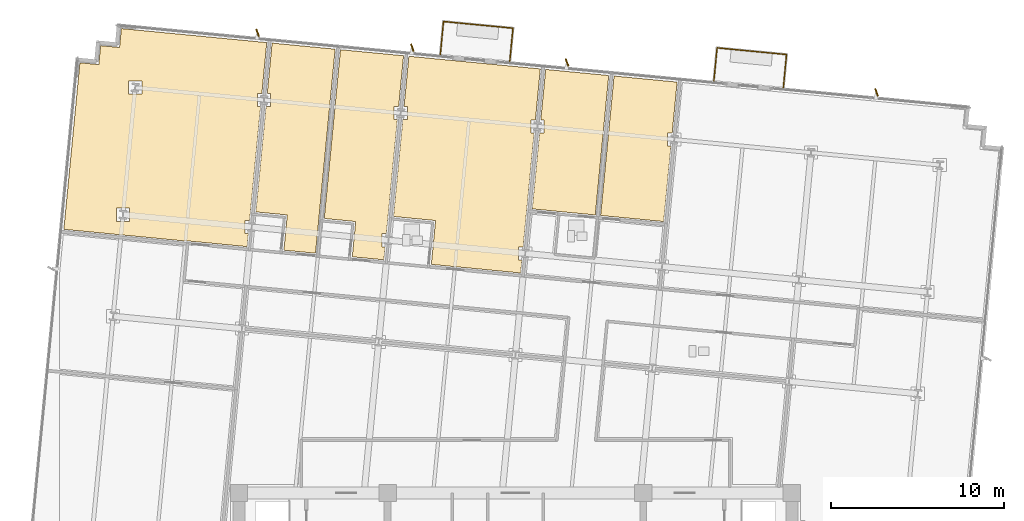
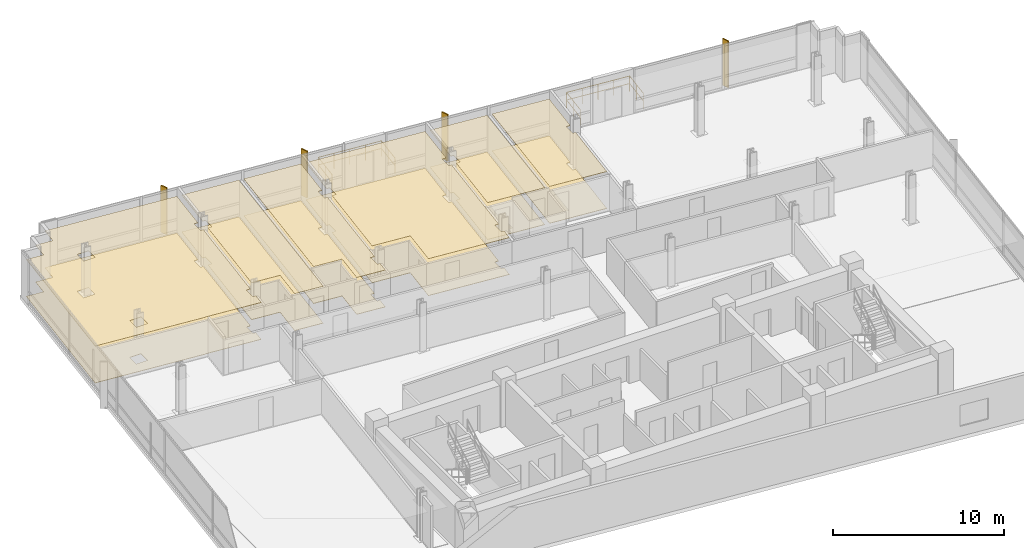
# One storey, part 16 of 17: 12 coverings, 6 railings, 4 shading devices.
"""IFC4 building model written with IfcOpenShell, lengths in metres."""

from ifc_helpers import new_model, si_unit, direction, frame, origin, origin_2d, place, context, subcontext, project, spatial, polyline, rectangle, circle, outline, extrude, material, layer, layer_set, type_object, element, save


model = new_model("IFC4")

# Units and contexts
model_context = context("Model", 3, precision=1e-05, world=origin(), true_north=direction((0.0, 1.0)))
body_context = subcontext(model_context, "Body", "Model", "MODEL_VIEW")
ifc_project = project(units=[si_unit("LENGTHUNIT", "METRE"), si_unit("AREAUNIT", "SQUARE_METRE"), si_unit("VOLUMEUNIT", "CUBIC_METRE"), si_unit("PLANEANGLEUNIT", "RADIAN"), si_unit("MASSUNIT", "GRAM", prefix="KILO")], contexts=[model_context])

# Site, building, storey
site_placement = place(None, origin())
site = spatial("IfcSite", under=ifc_project, at=site_placement, CompositionType="ELEMENT")
building_placement = place(site_placement, origin())
building = spatial("IfcBuilding", under=site, at=building_placement, Name="Solmavex Isthmus Hotel", CompositionType="ELEMENT")
storey_placement = place(building_placement, frame((0.0, 0.0, 149.699951171875)))
storey = spatial("IfcBuildingStorey", under=building, at=storey_placement, Name="L40", CompositionType="ELEMENT", Elevation=149.699951171875)

# Coverings
ifc_material_1 = material(Name="Gypsum plasterboard lining", Category="gypsum")
ifc_layer_1 = layer(ifc_material_1, 0.030029296875)
ifc_layer_set_1 = layer_set([ifc_layer_1], Name="Gypsum plasterboard lining")
covering_type_1 = type_object("IfcCoveringType", Name="COV-CEIL-GYP", PredefinedType="CEILING", material=ifc_layer_set_1)
covering_1_placement = place(storey_placement, frame((0.0, 0.0, 2.6201171875)))
element("IfcCovering", 1, at=covering_1_placement, inside=storey, type_object=covering_type_1, Name="Suspended Acoustic Ceiling L40-RM01", PredefinedType="CEILING", context=body_context, shape_type="SweptSolid", body=[
    extrude(outline(polyline([(-19.121337890625, 12.088623046875), (-19.119384765625, 12.1083984375), (-15.535888671875, 11.763427734375), (-15.463623046875, 12.51611328125), (-15.651123046875, 12.51611328125), (-15.651123046875, 13.276123046875), (-15.390380859375, 13.276123046875), (-14.755126953125, 19.874267578125), (-14.942626953125, 19.874267578125), (-14.942626953125, 20.63427734375), (-14.681884765625, 20.63427734375), (-14.3984375, 23.578857421875), (-21.99609375, 24.310302734375), (-22.8173828125, 24.389404296875), (-22.9228515625, 23.29443359375), (-24.017822265625, 23.39990234375), (-24.123291015625, 22.304931640625), (-25.218017578125, 22.410400390625), (-25.297119140625, 21.589111328125), (-26.14697265625, 12.764892578125), (-19.121337890625, 12.088623046875)]), holes=[polyline([(-22.396240234375, 20.591796875), (-22.396240234375, 21.351806640625), (-21.63623046875, 21.351806640625), (-21.63623046875, 20.591796875), (-22.396240234375, 20.591796875)]), polyline([(-23.104736328125, 13.23388671875), (-23.104736328125, 13.993896484375), (-22.3447265625, 13.993896484375), (-22.3447265625, 13.23388671875), (-23.104736328125, 13.23388671875)])]), origin(), (0.0, 0.0, 1.0), 0.030029296875),
])
covering_2_placement = place(storey_placement, frame((0.0, 0.0, 2.6201171875)))
element("IfcCovering", 2, at=covering_2_placement, inside=storey, type_object=covering_type_1, Name="Suspended Acoustic Ceiling L40-RM02", PredefinedType="CEILING", context=body_context, shape_type="SweptSolid", body=[
    extrude(outline(polyline([(-14.370361328125, 20.63427734375), (-14.1826171875, 20.63427734375), (-14.1826171875, 19.874267578125), (-14.443603515625, 19.874267578125), (-15.031005859375, 13.774169921875), (-13.20947265625, 13.598876953125), (-13.406005859375, 11.558349609375), (-11.576416015625, 11.382080078125), (-10.438720703125, 23.197509765625), (-14.08984375, 23.549072265625), (-14.370361328125, 20.63427734375)])), origin(), (0.0, 0.0, 1.0), 0.030029296875),
])
covering_3_placement = place(storey_placement, frame((0.0, 0.0, 2.6201171875)))
element("IfcCovering", 3, at=covering_3_placement, inside=storey, type_object=covering_type_1, Name="Suspended Acoustic Ceiling L40-RM03", PredefinedType="CEILING", context=body_context, shape_type="SweptSolid", body=[
    extrude(outline(polyline([(-6.835693359375, 19.111572265625), (-7.0234375, 19.111572265625), (-7.0234375, 19.87158203125), (-6.762451171875, 19.87158203125), (-6.47900390625, 22.816162109375), (-10.130126953125, 23.167724609375), (-11.0712890625, 13.39306640625), (-9.249755859375, 13.217529296875), (-9.4462890625, 11.177001953125), (-7.61669921875, 11.000732421875), (-7.544189453125, 11.753662109375), (-7.73193359375, 11.753662109375), (-7.73193359375, 12.513671875), (-7.470947265625, 12.513671875), (-6.835693359375, 19.111572265625)])), origin(), (0.0, 0.0, 1.0), 0.030029296875),
])
covering_4_placement = place(storey_placement, frame((0.0, 0.0, 2.6201171875)))
element("IfcCovering", 4, at=covering_4_placement, inside=storey, type_object=covering_type_1, Name="Suspended Acoustic Ceiling L40-RM04", PredefinedType="CEILING", context=body_context, shape_type="SweptSolid", body=[
    extrude(outline(polyline([(-6.450927734375, 19.87158203125), (-6.263427734375, 19.87158203125), (-6.263427734375, 19.111572265625), (-6.524169921875, 19.111572265625), (-7.0146484375, 14.017822265625), (-7.063720703125, 13.50927734375), (-4.625, 13.274658203125), (-4.869384765625, 10.736328125), (0.302734375, 10.23828125), (0.375244140625, 10.9912109375), (0.1875, 10.9912109375), (0.1875, 11.751220703125), (0.448486328125, 11.751220703125), (1.083740234375, 18.34912109375), (0.89599609375, 18.34912109375), (0.89599609375, 19.109130859375), (1.156982421875, 19.109130859375), (1.4404296875, 22.0537109375), (-6.17041015625, 22.786376953125), (-6.450927734375, 19.87158203125)])), origin(), (0.0, 0.0, 1.0), 0.030029296875),
])
covering_5_placement = place(storey_placement, frame((0.0, 0.0, 2.6201171875)))
element("IfcCovering", 5, at=covering_5_placement, inside=storey, type_object=covering_type_1, Name="Suspended Acoustic Ceiling L40-TB05", PredefinedType="CEILING", context=body_context, shape_type="SweptSolid", body=[
    extrude(outline(polyline([(1.46826171875, 19.109130859375), (1.656005859375, 19.109130859375), (1.656005859375, 18.34912109375), (1.395263671875, 18.34912109375), (0.971435546875, 13.94921875), (4.62255859375, 13.59765625), (5.400146484375, 21.67236328125), (1.7490234375, 22.02392578125), (1.46826171875, 19.109130859375)])), origin(), (0.0, 0.0, 1.0), 0.030029296875),
])
covering_6_placement = place(storey_placement, frame((0.0, 0.0, 2.6201171875)))
element("IfcCovering", 6, at=covering_6_placement, inside=storey, type_object=covering_type_1, Name="Suspended Acoustic Ceiling L40-TL05", PredefinedType="CEILING", context=body_context, shape_type="SweptSolid", body=[
    extrude(outline(polyline([(9.003173828125, 17.586669921875), (8.8154296875, 17.586669921875), (8.8154296875, 18.346435546875), (9.076171875, 18.346435546875), (9.35986328125, 21.291015625), (5.708740234375, 21.642578125), (4.93115234375, 13.568115234375), (8.582275390625, 13.216552734375), (9.003173828125, 17.586669921875)])), origin(), (0.0, 0.0, 1.0), 0.030029296875),
])
ifc_material_2 = material(Name="Travertine natural stone", Category="masonry")
ifc_layer_2 = layer(ifc_material_2, 0.02490234375)
ifc_layer_set_2 = layer_set([ifc_layer_2], Name="Travertine natural stone")
covering_type_2 = type_object("IfcCoveringType", Name="COV-FLOR-STN", PredefinedType="FLOORING", material=ifc_layer_set_2)
covering_7_placement = place(storey_placement, origin())
element("IfcCovering", 7, at=covering_7_placement, inside=storey, type_object=covering_type_2, Name="Stone and Timber Floor Finish L40-RM01", PredefinedType="FLOORING", context=body_context, shape_type="SweptSolid", body=[
    extrude(outline(polyline([(-19.121337890625, 12.088623046875), (-19.119384765625, 12.1083984375), (-15.535888671875, 11.763427734375), (-15.463623046875, 12.51611328125), (-15.651123046875, 12.51611328125), (-15.651123046875, 13.276123046875), (-15.390380859375, 13.276123046875), (-14.755126953125, 19.874267578125), (-14.942626953125, 19.874267578125), (-14.942626953125, 20.63427734375), (-14.681884765625, 20.63427734375), (-14.3984375, 23.578857421875), (-21.99609375, 24.310302734375), (-22.8173828125, 24.389404296875), (-22.9228515625, 23.29443359375), (-24.017822265625, 23.39990234375), (-24.123291015625, 22.304931640625), (-25.218017578125, 22.410400390625), (-25.297119140625, 21.589111328125), (-26.14697265625, 12.764892578125), (-19.121337890625, 12.088623046875)]), holes=[polyline([(-22.396240234375, 20.591796875), (-22.396240234375, 21.351806640625), (-21.63623046875, 21.351806640625), (-21.63623046875, 20.591796875), (-22.396240234375, 20.591796875)]), polyline([(-23.104736328125, 13.23388671875), (-23.104736328125, 13.993896484375), (-22.3447265625, 13.993896484375), (-22.3447265625, 13.23388671875), (-23.104736328125, 13.23388671875)])]), origin(), (0.0, 0.0, 1.0), 0.025146484375),
])
covering_8_placement = place(storey_placement, origin())
element("IfcCovering", 8, at=covering_8_placement, inside=storey, type_object=covering_type_2, Name="Stone and Timber Floor Finish L40-RM02", PredefinedType="FLOORING", context=body_context, shape_type="SweptSolid", body=[
    extrude(outline(polyline([(-14.370361328125, 20.63427734375), (-14.1826171875, 20.63427734375), (-14.1826171875, 19.874267578125), (-14.443603515625, 19.874267578125), (-15.031005859375, 13.774169921875), (-13.20947265625, 13.598876953125), (-13.406005859375, 11.558349609375), (-11.576416015625, 11.382080078125), (-10.438720703125, 23.197509765625), (-14.08984375, 23.549072265625), (-14.370361328125, 20.63427734375)])), origin(), (0.0, 0.0, 1.0), 0.025146484375),
])
covering_9_placement = place(storey_placement, origin())
element("IfcCovering", 9, at=covering_9_placement, inside=storey, type_object=covering_type_2, Name="Stone and Timber Floor Finish L40-RM03", PredefinedType="FLOORING", context=body_context, shape_type="SweptSolid", body=[
    extrude(outline(polyline([(-6.835693359375, 19.111572265625), (-7.0234375, 19.111572265625), (-7.0234375, 19.87158203125), (-6.762451171875, 19.87158203125), (-6.47900390625, 22.816162109375), (-10.130126953125, 23.167724609375), (-11.0712890625, 13.39306640625), (-9.249755859375, 13.217529296875), (-9.4462890625, 11.177001953125), (-7.61669921875, 11.000732421875), (-7.544189453125, 11.753662109375), (-7.73193359375, 11.753662109375), (-7.73193359375, 12.513671875), (-7.470947265625, 12.513671875), (-6.835693359375, 19.111572265625)])), origin(), (0.0, 0.0, 1.0), 0.025146484375),
])
covering_10_placement = place(storey_placement, origin())
element("IfcCovering", 10, at=covering_10_placement, inside=storey, type_object=covering_type_2, Name="Stone and Timber Floor Finish L40-RM04", PredefinedType="FLOORING", context=body_context, shape_type="SweptSolid", body=[
    extrude(outline(polyline([(-6.450927734375, 19.87158203125), (-6.263427734375, 19.87158203125), (-6.263427734375, 19.111572265625), (-6.524169921875, 19.111572265625), (-7.0146484375, 14.017822265625), (-7.063720703125, 13.50927734375), (-4.625, 13.274658203125), (-4.869384765625, 10.736328125), (0.302734375, 10.23828125), (0.375244140625, 10.9912109375), (0.1875, 10.9912109375), (0.1875, 11.751220703125), (0.448486328125, 11.751220703125), (1.083740234375, 18.34912109375), (0.89599609375, 18.34912109375), (0.89599609375, 19.109130859375), (1.156982421875, 19.109130859375), (1.4404296875, 22.0537109375), (-6.17041015625, 22.786376953125), (-6.450927734375, 19.87158203125)])), origin(), (0.0, 0.0, 1.0), 0.025146484375),
])
covering_11_placement = place(storey_placement, origin())
element("IfcCovering", 11, at=covering_11_placement, inside=storey, type_object=covering_type_2, Name="Stone and Timber Floor Finish L40-TB05", PredefinedType="FLOORING", context=body_context, shape_type="SweptSolid", body=[
    extrude(outline(polyline([(1.46826171875, 19.109130859375), (1.656005859375, 19.109130859375), (1.656005859375, 18.34912109375), (1.395263671875, 18.34912109375), (0.971435546875, 13.94921875), (4.62255859375, 13.59765625), (5.400146484375, 21.67236328125), (1.7490234375, 22.02392578125), (1.46826171875, 19.109130859375)])), origin(), (0.0, 0.0, 1.0), 0.025146484375),
])
covering_12_placement = place(storey_placement, origin())
element("IfcCovering", 12, at=covering_12_placement, inside=storey, type_object=covering_type_2, Name="Stone and Timber Floor Finish L40-TL05", PredefinedType="FLOORING", context=body_context, shape_type="SweptSolid", body=[
    extrude(outline(polyline([(9.003173828125, 17.586669921875), (8.8154296875, 17.586669921875), (8.8154296875, 18.346435546875), (9.076171875, 18.346435546875), (9.35986328125, 21.291015625), (5.708740234375, 21.642578125), (4.93115234375, 13.568115234375), (8.582275390625, 13.216552734375), (9.003173828125, 17.586669921875)])), origin(), (0.0, 0.0, 1.0), 0.025146484375),
])

# Railings
ifc_material_3 = material(Name="Clear low-E laminated glass", Category="glass")
ifc_layer_3 = layer(ifc_material_3, 0.070068359375)
ifc_layer_set_3 = layer_set([ifc_layer_3], Name="Clear low-E laminated glass")
railing_type = type_object("IfcRailingType", Name="RAIL-GUARD-1100", PredefinedType="BALUSTRADE", material=ifc_layer_set_3)
railing_1_placement = place(storey_placement, frame((-4.349365234375, 22.887451171875, 0.0)))
element("IfcRailing", 13, at=railing_1_placement, inside=storey, type_object=railing_type, Name="Guardrail Balustrade L40-BAL1-01", PredefinedType="BALUSTRADE", context=body_context, shape_type="SweptSolid", body=[
    extrude(circle(Radius=0.02392578125, at=origin_2d()), frame((0.0, 0.0, 1.09619140625), z_axis=(0.095877165628, 0.995393173129, 0.0), x_axis=(-0.995393173129, 0.095877165628, 0.0)), (0.0, 0.0, 1.0), 1.919921875),
    extrude(circle(Radius=0.02392578125, at=origin_2d()), frame((0.0, 0.0, 0.56005859375), z_axis=(0.095877165628, 0.995393173129, 0.0), x_axis=(-0.995393173129, 0.095877165628, 0.0)), (0.0, 0.0, 1.0), 1.919921875),
    extrude(circle(Radius=0.02099609375, at=origin_2d()), origin(), (0.0, 0.0, 1.0), 1.072021484375),
    extrude(circle(Radius=0.02099609375, at=origin_2d()), frame((0.092041015625, 0.95556640625, 0.0)), (0.0, 0.0, 1.0), 1.072021484375),
    extrude(circle(Radius=0.02099609375, at=origin_2d()), frame((0.18408203125, 1.9111328125, 0.0)), (0.0, 0.0, 1.0), 1.072021484375),
])
railing_2_placement = place(storey_placement, frame((-4.165283203125, 24.798583984375, 0.0)))
element("IfcRailing", 14, at=railing_2_placement, inside=storey, type_object=railing_type, Name="Guardrail Balustrade L40-BAL1-02", PredefinedType="BALUSTRADE", context=body_context, shape_type="SweptSolid", body=[
    extrude(circle(Radius=0.02392578125, at=origin_2d()), frame((0.0, 0.0, 1.09619140625), z_axis=(0.995396620385, -0.095841369593, 0.0), x_axis=(0.095841369593, 0.995396620385, 0.0)), (0.0, 0.0, 1.0), 4.0400390625),
    extrude(circle(Radius=0.02392578125, at=origin_2d()), frame((0.0, 0.0, 0.56005859375), z_axis=(0.995396620385, -0.095841369593, 0.0), x_axis=(0.095841369593, 0.995396620385, 0.0)), (0.0, 0.0, 1.0), 4.0400390625),
    extrude(circle(Radius=0.02099609375, at=origin_2d()), origin(), (0.0, 0.0, 1.0), 1.072021484375),
    extrude(circle(Radius=0.02099609375, at=origin_2d()), frame((1.00537109375, -0.0966796875, 0.0)), (0.0, 0.0, 1.0), 1.072021484375),
    extrude(circle(Radius=0.02099609375, at=origin_2d()), frame((2.0107421875, -0.193603515625, 0.0)), (0.0, 0.0, 1.0), 1.072021484375),
    extrude(circle(Radius=0.02099609375, at=origin_2d()), frame((3.01611328125, -0.29052734375, 0.0)), (0.0, 0.0, 1.0), 1.072021484375),
    extrude(circle(Radius=0.02099609375, at=origin_2d()), frame((4.021484375, -0.38720703125, 0.0)), (0.0, 0.0, 1.0), 1.072021484375),
])
railing_3_placement = place(storey_placement, frame((-0.143798828125, 24.411376953125, 0.0)))
element("IfcRailing", 15, at=railing_3_placement, inside=storey, type_object=railing_type, Name="Guardrail Balustrade L40-BAL1-03", PredefinedType="BALUSTRADE", context=body_context, shape_type="SweptSolid", body=[
    extrude(circle(Radius=0.02392578125, at=origin_2d()), frame((0.0, 0.0, 1.09619140625), z_axis=(-0.095877165628, -0.995393173129, 0.0), x_axis=(0.995393173129, -0.095877165628, 0.0)), (0.0, 0.0, 1.0), 1.919921875),
    extrude(circle(Radius=0.02392578125, at=origin_2d()), frame((0.0, 0.0, 0.56005859375), z_axis=(-0.095877165628, -0.995393173129, 0.0), x_axis=(0.995393173129, -0.095877165628, 0.0)), (0.0, 0.0, 1.0), 1.919921875),
    extrude(circle(Radius=0.02099609375, at=origin_2d()), origin(), (0.0, 0.0, 1.0), 1.072021484375),
    extrude(circle(Radius=0.02099609375, at=origin_2d()), frame((-0.092041015625, -0.95556640625, 0.0)), (0.0, 0.0, 1.0), 1.072021484375),
    extrude(circle(Radius=0.02099609375, at=origin_2d()), frame((-0.18408203125, -1.9111328125, 0.0)), (0.0, 0.0, 1.0), 1.072021484375),
])
railing_4_placement = place(storey_placement, frame((11.489501953125, 21.3623046875, 0.0)))
element("IfcRailing", 16, at=railing_4_placement, inside=storey, type_object=railing_type, Name="Guardrail Balustrade L40-BAL2-01", PredefinedType="BALUSTRADE", context=body_context, shape_type="SweptSolid", body=[
    extrude(circle(Radius=0.02392578125, at=origin_2d()), frame((0.0, 0.0, 1.09619140625), z_axis=(0.095751174172, 0.995405300691, 0.0), x_axis=(-0.995405300691, 0.095751174172, 0.0)), (0.0, 0.0, 1.0), 1.919921875),
    extrude(circle(Radius=0.02392578125, at=origin_2d()), frame((0.0, 0.0, 0.56005859375), z_axis=(0.095751174172, 0.995405300691, 0.0), x_axis=(-0.995405300691, 0.095751174172, 0.0)), (0.0, 0.0, 1.0), 1.919921875),
    extrude(circle(Radius=0.02099609375, at=origin_2d()), origin(), (0.0, 0.0, 1.0), 1.072021484375),
    extrude(circle(Radius=0.02099609375, at=origin_2d()), frame((0.091796875, 0.95556640625, 0.0)), (0.0, 0.0, 1.0), 1.072021484375),
    extrude(circle(Radius=0.02099609375, at=origin_2d()), frame((0.183837890625, 1.9111328125, 0.0)), (0.0, 0.0, 1.0), 1.072021484375),
])
railing_5_placement = place(storey_placement, frame((11.67333984375, 23.2734375, 0.0)))
element("IfcRailing", 17, at=railing_5_placement, inside=storey, type_object=railing_type, Name="Guardrail Balustrade L40-BAL2-02", PredefinedType="BALUSTRADE", context=body_context, shape_type="SweptSolid", body=[
    extrude(circle(Radius=0.02392578125, at=origin_2d()), frame((0.0, 0.0, 1.09619140625), z_axis=(0.995396620385, -0.095841369593, 0.0), x_axis=(0.095841369593, 0.995396620385, 0.0)), (0.0, 0.0, 1.0), 4.0400390625),
    extrude(circle(Radius=0.02392578125, at=origin_2d()), frame((0.0, 0.0, 0.56005859375), z_axis=(0.995396620385, -0.095841369593, 0.0), x_axis=(0.095841369593, 0.995396620385, 0.0)), (0.0, 0.0, 1.0), 4.0400390625),
    extrude(circle(Radius=0.02099609375, at=origin_2d()), origin(), (0.0, 0.0, 1.0), 1.072021484375),
    extrude(circle(Radius=0.02099609375, at=origin_2d()), frame((1.00537109375, -0.0966796875, 0.0)), (0.0, 0.0, 1.0), 1.072021484375),
    extrude(circle(Radius=0.02099609375, at=origin_2d()), frame((2.0107421875, -0.193603515625, 0.0)), (0.0, 0.0, 1.0), 1.072021484375),
    extrude(circle(Radius=0.02099609375, at=origin_2d()), frame((3.01611328125, -0.29052734375, 0.0)), (0.0, 0.0, 1.0), 1.072021484375),
    extrude(circle(Radius=0.02099609375, at=origin_2d()), frame((4.021484375, -0.38720703125, 0.0)), (0.0, 0.0, 1.0), 1.072021484375),
])
railing_6_placement = place(storey_placement, frame((15.69482421875, 22.88623046875, 0.0)))
element("IfcRailing", 18, at=railing_6_placement, inside=storey, type_object=railing_type, Name="Guardrail Balustrade L40-BAL2-03", PredefinedType="BALUSTRADE", context=body_context, shape_type="SweptSolid", body=[
    extrude(circle(Radius=0.02392578125, at=origin_2d()), frame((0.0, 0.0, 1.09619140625), z_axis=(-0.095877165628, -0.995393173129, 0.0), x_axis=(0.995393173129, -0.095877165628, 0.0)), (0.0, 0.0, 1.0), 1.919921875),
    extrude(circle(Radius=0.02392578125, at=origin_2d()), frame((0.0, 0.0, 0.56005859375), z_axis=(-0.095877165628, -0.995393173129, 0.0), x_axis=(0.995393173129, -0.095877165628, 0.0)), (0.0, 0.0, 1.0), 1.919921875),
    extrude(circle(Radius=0.02099609375, at=origin_2d()), origin(), (0.0, 0.0, 1.0), 1.072021484375),
    extrude(circle(Radius=0.02099609375, at=origin_2d()), frame((-0.092041015625, -0.95556640625, 0.0)), (0.0, 0.0, 1.0), 1.072021484375),
    extrude(circle(Radius=0.02099609375, at=origin_2d()), frame((-0.18408203125, -1.9111328125, 0.0)), (0.0, 0.0, 1.0), 1.072021484375),
])

# Shading devices
ifc_material_4 = material(Name="Aluminium alloy 6063-T6", Category="aluminium")
shading_device_type = type_object("IfcShadingDeviceType", Name="SHD-FIN-BRONZE", PredefinedType="USERDEFINED", material=ifc_material_4)
for number, where, z_axis, x_axis, name in (
    (19, (-14.92919921875, 24.147216796875, -0.139892578125), (0.0, 0.0, 1.0), (-0.350207381259, 0.936672189248, 0.0), "Anodised Aluminium Solar Fin L40-N1"),
    (20, (-5.970703125, 23.28466796875, -0.139892578125), (0.0, 0.0, 1.0), (-0.350207381259, 0.936672189248, 0.0), "Anodised Aluminium Solar Fin L40-N2"),
    (21, (2.98779296875, 22.422119140625, -0.139892578125), (0.0, 0.0, 1.0), (-0.350207381259, 0.936672189248, 0.0), "Anodised Aluminium Solar Fin L40-N3"),
    (22, (20.905029296875, 20.69677734375, -0.139892578125), (0.0, 0.0, 1.0), (-0.350207381259, 0.936672189248, 0.0), "Anodised Aluminium Solar Fin L40-N4"),
):
    element("IfcShadingDevice", number, at=place(storey_placement, frame(where, z_axis=z_axis, x_axis=x_axis)), inside=storey, type_object=shading_device_type, Name=name, ObjectType="SOLAR_FIN", PredefinedType="USERDEFINED", context=body_context, shape_type="SweptSolid", body=[
        extrude(rectangle(XDim=0.449951171875, YDim=0.080078125, at=origin_2d()), origin(), (0.0, 0.0, 1.0), 3.330078125),
    ])

save(model, "model.ifc")
